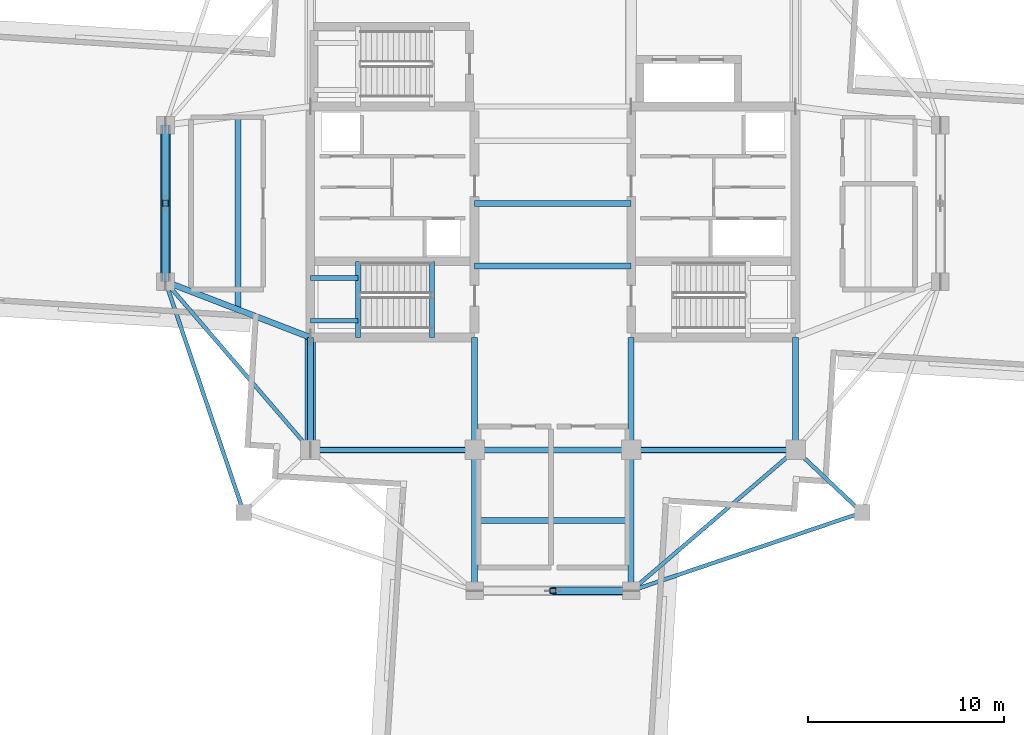
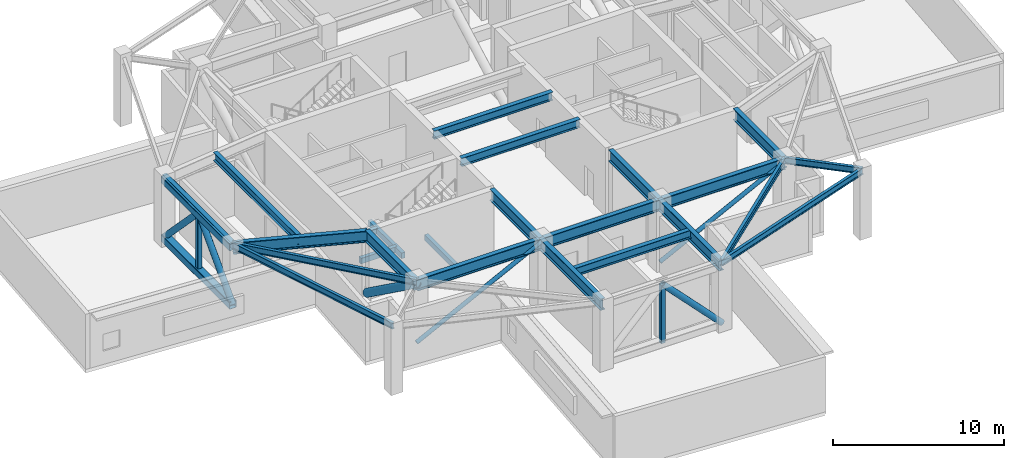
# One storey, part 2 of 14: 24 beams, 10 members.
"""IFC4 building model written with IfcOpenShell, lengths in metres."""

from ifc_helpers import new_model, si_unit, direction, frame, origin, origin_2d, place, context, subcontext, project, spatial, rectangle, hollow_rectangle, hollow_circle, i_section, extrude, material, material_profile, profile_set, type_object, element, save


model = new_model("IFC4")

# Units and contexts
model_context = context("Model", 3, precision=1e-05, world=origin(), true_north=direction((0.0, 1.0)))
body_context = subcontext(model_context, "Body", "Model", "MODEL_VIEW")
ifc_project = project(units=[si_unit("LENGTHUNIT", "METRE"), si_unit("AREAUNIT", "SQUARE_METRE"), si_unit("VOLUMEUNIT", "CUBIC_METRE"), si_unit("PLANEANGLEUNIT", "RADIAN"), si_unit("MASSUNIT", "GRAM", prefix="KILO")], contexts=[model_context])

# Site, building, storey
site_placement = place(None, origin())
site = spatial("IfcSite", under=ifc_project, at=site_placement, CompositionType="ELEMENT")
building_placement = place(site_placement, origin())
building = spatial("IfcBuilding", under=site, at=building_placement, Name="Qingluan Cross Belvedere", CompositionType="ELEMENT")
storey_placement = place(building_placement, frame((0.0, 0.0, 240.300048828125)))
storey = spatial("IfcBuildingStorey", under=building, at=storey_placement, Name="L60", CompositionType="ELEMENT", Elevation=240.300048828125)

# Beams
ifc_material_1 = material(Name="Concrete C45", Category="concrete")
ifc_material_profile_1 = material_profile(ifc_material_1, rectangle(XDim=0.25, YDim=0.39990234375, at=origin_2d()), Name="RC250x400")
ifc_profile_set_1 = profile_set([ifc_material_profile_1], Name="Concrete C45")
beam_type_1 = type_object("IfcBeamType", Name="RC_Lintel_RC250x400", PredefinedType="LINTEL", material=ifc_profile_set_1)
for number, where, z_axis, x_axis, name in (
    (1, (-6.179931640625, -6.85009765625, -0.199951171875), (0.0, 1.0, 0.0), (-1.0, 0.0, 0.0), "Stair ST1 landing beam L60"),
    (2, (-9.969970703125, -6.85009765625, 2.14990234375), (0.0, 1.0, 0.0), (-1.0, 0.0, 0.0), "Stair ST1 beam A L60"),
):
    element("IfcBeam", number, at=place(storey_placement, frame(where, z_axis=z_axis, x_axis=x_axis)), inside=storey, type_object=beam_type_1, Name=name, PredefinedType="LINTEL", context=body_context, shape_type="SweptSolid", body=[
        extrude(rectangle(XDim=0.25, YDim=0.39990234375, at=origin_2d()), origin(), (0.0, 0.0, 1.0), 3.89013671875),
    ])
for number, where, z_axis, x_axis, name in (
    (3, (-12.39990234375, -6.0, 2.14990234375), (1.0, 0.0, 0.0), (0.0, 1.0, 0.0), "Stair ST1 beam B L60"),
    (4, (-12.39990234375, -3.81005859375, 2.14990234375), (1.0, 0.0, 0.0), (0.0, 1.0, 0.0), "Stair ST1 beam C L60"),
):
    element("IfcBeam", number, at=place(storey_placement, frame(where, z_axis=z_axis, x_axis=x_axis)), inside=storey, type_object=beam_type_1, Name=name, PredefinedType="LINTEL", context=body_context, shape_type="SweptSolid", body=[
        extrude(rectangle(XDim=0.25, YDim=0.39990234375, at=origin_2d()), origin(), (0.0, 0.0, 1.0), 2.429931640625),
    ])

# Members
ifc_material_2 = material(Name="Steel Q420GJB", Category="steel")
ifc_material_profile_2 = material_profile(ifc_material_2, hollow_circle(Radius=0.202880859375, WallThickness=0.01806640625, at=origin_2d()), Name="CHS406x18")
ifc_profile_set_2 = profile_set([ifc_material_profile_2], Name="Steel Q420GJB")
member_type_1 = type_object("IfcMemberType", Name="SteelMember_BRACE_CHS406x18", PredefinedType="BRACE", material=ifc_profile_set_2)
for number, where, z_axis, x_axis, name in (
    (5, (-19.800048828125, -4.0, 0.349853515625), (0.0, 0.6939623188, 0.720011319415), (-1.0, 0.0, 0.0), "Belt truss diagonal A L60-W"),
    (6, (-19.800048828125, 4.0, 0.349853515625), (0.0, -0.6939623188, 0.720011319415), (1.0, 0.0, 0.0), "Belt truss diagonal B L60-W"),
    (7, (4.0, -19.800048828125, 0.349853515625), (-0.6939623188, 0.0, 0.720011319415), (0.0, -1.0, 0.0), "Belt truss diagonal B L60-S"),
):
    element("IfcMember", number, at=place(storey_placement, frame(where, z_axis=z_axis, x_axis=x_axis)), inside=storey, type_object=member_type_1, Name=name, PredefinedType="BRACE", context=body_context, shape_type="SweptSolid", body=[
        extrude(hollow_circle(Radius=0.202880859375, WallThickness=0.01806640625, at=origin_2d()), origin(), (0.0, 0.0, 1.0), 5.763916015625),
    ])
ifc_material_3 = material(Name="Steel Q420GJB", Category="steel")
ifc_material_profile_3 = material_profile(ifc_material_3, hollow_circle(Radius=0.279541015625, WallThickness=0.02490234375, at=origin_2d()), Name="CHS559x25")
ifc_profile_set_3 = profile_set([ifc_material_profile_3], Name="Steel Q420GJB")
member_type_2 = type_object("IfcMemberType", Name="SteelMember_BRACE_CHS559x25", PredefinedType="BRACE", material=ifc_profile_set_3)
member_placement = place(storey_placement, frame((-12.39990234375, -6.85009765625, 0.349853515625), z_axis=(0.0, -0.810855313774, 0.585246666052), x_axis=(1.0, 0.0, 0.0)))
element("IfcMember", 8, at=member_placement, inside=storey, type_object=member_type_2, Name="Outrigger truss diagonal L60-OWS", PredefinedType="BRACE", context=body_context, shape_type="SweptSolid", body=[
    extrude(hollow_circle(Radius=0.279541015625, WallThickness=0.02490234375, at=origin_2d()), origin(), (0.0, 0.0, 1.0), 7.09130859375),
])
ifc_material_4 = material(Name="Steel Q420GJB", Category="steel")
ifc_material_profile_4 = material_profile(ifc_material_4, hollow_rectangle(XDim=0.5, YDim=0.5, WallThickness=0.02490234375, InnerFilletRadius=0.02490234375, OuterFilletRadius=0.050048828125, at=origin_2d()), Name="RHS500x500x25")
ifc_profile_set_4 = profile_set([ifc_material_profile_4], Name="Steel Q420GJB")
member_type_3 = type_object("IfcMemberType", Name="SteelMember_CHORD_RHS500x500x25", PredefinedType="CHORD", material=ifc_profile_set_4)
for number, where, z_axis, x_axis, name in (
    (9, (-19.800048828125, -4.0, 0.349853515625), (0.0, 1.0, 0.0), (-1.0, 0.0, 0.0), "Belt truss bottom chord L60-W"),
    (10, (-19.800048828125, -4.0, 4.5), (0.0, 1.0, 0.0), (-1.0, 0.0, 0.0), "Belt truss top chord L60-W"),
):
    element("IfcMember", number, at=place(storey_placement, frame(where, z_axis=z_axis, x_axis=x_axis)), inside=storey, type_object=member_type_3, Name=name, PredefinedType="CHORD", context=body_context, shape_type="SweptSolid", body=[
        extrude(hollow_rectangle(XDim=0.5, YDim=0.5, WallThickness=0.02490234375, InnerFilletRadius=0.02490234375, OuterFilletRadius=0.050048828125, at=origin_2d()), origin(), (0.0, 0.0, 1.0), 8.0),
    ])
ifc_material_5 = material(Name="Steel Q420GJB", Category="steel")
ifc_material_profile_5 = material_profile(ifc_material_5, hollow_rectangle(XDim=0.300048828125, YDim=0.300048828125, WallThickness=0.01611328125, InnerFilletRadius=0.01611328125, OuterFilletRadius=0.031982421875, at=origin_2d()), Name="RHS300x300x16")
ifc_profile_set_5 = profile_set([ifc_material_profile_5], Name="Steel Q420GJB")
member_type_4 = type_object("IfcMemberType", Name="SteelMember_POST_RHS300x300x16", PredefinedType="POST", material=ifc_profile_set_5)
for number, where, z_axis, x_axis, name in (
    (11, (-19.800048828125, 0.0, 0.349853515625), (0.0, 0.0, 1.0), (1.0, 0.0, 0.0), "Belt truss mid-post L60-W"),
    (12, (0.0, -19.800048828125, 0.349853515625), (0.0, 0.0, 1.0), (1.0, 0.0, 0.0), "Belt truss mid-post L60-S"),
):
    element("IfcMember", number, at=place(storey_placement, frame(where, z_axis=z_axis, x_axis=x_axis)), inside=storey, type_object=member_type_4, Name=name, PredefinedType="POST", context=body_context, shape_type="SweptSolid", body=[
        extrude(hollow_rectangle(XDim=0.300048828125, YDim=0.300048828125, WallThickness=0.01611328125, InnerFilletRadius=0.01611328125, OuterFilletRadius=0.031982421875, at=origin_2d()), origin(), (0.0, 0.0, 1.0), 4.150146484375),
    ])
ifc_material_6 = material(Name="Steel Q420GJB", Category="steel")
ifc_material_profile_6 = material_profile(ifc_material_6, hollow_circle(Radius=0.136474609375, WallThickness=0.011962890625, at=origin_2d()), Name="CHS273x12")
ifc_profile_set_6 = profile_set([ifc_material_profile_6], Name="Steel Q420GJB")
member_type_5 = type_object("IfcMemberType", Name="SteelMember_STRUT_CHS273x12", PredefinedType="STRUT", material=ifc_profile_set_6)
for number, where, z_axis, x_axis, name in (
    (13, (-12.39990234375, -12.60009765625, 0.300048828125), (0.892290477913, 0.0, 0.45146174038), (0.0, 1.0, 0.0), "Refuge hub lateral strut L60-SW"),
    (14, (4.0, -12.60009765625, 0.300048828125), (0.892290477913, 0.0, 0.45146174038), (0.0, 1.0, 0.0), "Refuge hub lateral strut L60-SE"),
):
    element("IfcMember", number, at=place(storey_placement, frame(where, z_axis=z_axis, x_axis=x_axis)), inside=storey, type_object=member_type_5, Name=name, PredefinedType="STRUT", context=body_context, shape_type="SweptSolid", body=[
        extrude(hollow_circle(Radius=0.136474609375, WallThickness=0.011962890625, at=origin_2d()), origin(), (0.0, 0.0, 1.0), 9.413818359375),
    ])

# Beams
ifc_material_7 = material(Name="Steel Q420GJB", Category="steel")
ifc_material_profile_7 = material_profile(ifc_material_7, i_section(OverallWidth=0.300048828125, OverallDepth=0.587890625, WebThickness=0.011962890625, FlangeThickness=0.02001953125, FilletRadius=0.02392578125, at=origin_2d()), Name="HM588x300x12x20")
ifc_profile_set_7 = profile_set([ifc_material_profile_7], Name="Steel Q420GJB")
beam_type_2 = type_object("IfcBeamType", Name="Steel_Beam_HM588x300x12x20", PredefinedType="BEAM", material=ifc_profile_set_7)
for number, where, z_axis, x_axis, name in (
    (15, (-4.0, -3.199951171875, 4.555908203125), (1.0, 0.0, 0.0), (0.0, 1.0, 0.0), "Hall beam L60-CH1"),
    (16, (-4.0, 0.0, 4.555908203125), (1.0, 0.0, 0.0), (0.0, 1.0, 0.0), "Hall beam L60-CH2"),
    (17, (-19.800048828125, -4.0, 4.555908203125), (0.0, 1.0, 0.0), (-1.0, 0.0, 0.0), "Arm W tie L60"),
):
    element("IfcBeam", number, at=place(storey_placement, frame(where, z_axis=z_axis, x_axis=x_axis)), inside=storey, type_object=beam_type_2, Name=name, PredefinedType="BEAM", context=body_context, shape_type="SweptSolid", body=[
        extrude(i_section(OverallWidth=0.300048828125, OverallDepth=0.587890625, WebThickness=0.011962890625, FlangeThickness=0.02001953125, FilletRadius=0.02392578125, at=origin_2d()), origin(), (0.0, 0.0, 1.0), 8.0),
    ])
beam_1_placement = place(storey_placement, frame((-16.10009765625, -5.425048828125, 4.555908203125), z_axis=(0.0, 1.0, 0.0), x_axis=(-1.0, 0.0, 0.0)))
element("IfcBeam", 18, at=beam_1_placement, inside=storey, type_object=beam_type_2, Name="Arm W beam L60", PredefinedType="BEAM", context=body_context, shape_type="SweptSolid", body=[
    extrude(i_section(OverallWidth=0.300048828125, OverallDepth=0.587890625, WebThickness=0.011962890625, FlangeThickness=0.02001953125, FilletRadius=0.02392578125, at=origin_2d()), origin(), (0.0, 0.0, 1.0), 9.900146484375),
])
beam_2_placement = place(storey_placement, frame((-4.0, -16.199951171875, 4.555908203125), z_axis=(1.0, 0.0, 0.0), x_axis=(0.0, 1.0, 0.0)))
element("IfcBeam", 19, at=beam_2_placement, inside=storey, type_object=beam_type_2, Name="Arm S beam L60", PredefinedType="BEAM", context=body_context, shape_type="SweptSolid", body=[
    extrude(i_section(OverallWidth=0.300048828125, OverallDepth=0.587890625, WebThickness=0.011962890625, FlangeThickness=0.02001953125, FilletRadius=0.02392578125, at=origin_2d()), origin(), (0.0, 0.0, 1.0), 8.0),
])
ifc_material_8 = material(Name="Steel Q420GJB", Category="steel")
ifc_material_profile_8 = material_profile(ifc_material_8, i_section(OverallWidth=0.199951171875, OverallDepth=0.449951171875, WebThickness=0.009033203125, FlangeThickness=0.013916015625, FilletRadius=0.01611328125, at=origin_2d()), Name="HN450x200x9x14")
ifc_profile_set_8 = profile_set([ifc_material_profile_8], Name="Steel Q420GJB")
beam_type_3 = type_object("IfcBeamType", Name="Steel_Beam_HN450x200x9x14", PredefinedType="JOIST", material=ifc_profile_set_8)
beam_3_placement = place(storey_placement, frame((-15.800048828125, -15.800048828125, 4.625), z_axis=(-0.321038089628, 0.947066283324, 0.0), x_axis=(-0.947066283324, -0.321038089628, 0.0)))
element("IfcBeam", 20, at=beam_3_placement, inside=storey, type_object=beam_type_3, Name="Corner beam 3 L60-RSW", PredefinedType="JOIST", context=body_context, shape_type="SweptSolid", body=[
    extrude(i_section(OverallWidth=0.199951171875, OverallDepth=0.449951171875, WebThickness=0.009033203125, FlangeThickness=0.013916015625, FilletRadius=0.01611328125, at=origin_2d()), origin(), (0.0, 0.0, 1.0), 12.45947265625),
])
beam_4_placement = place(storey_placement, frame((-12.39990234375, -12.60009765625, 4.625), z_axis=(-0.652245077546, 0.75800815221, 0.0), x_axis=(-0.75800815221, -0.652245077546, 0.0)))
element("IfcBeam", 21, at=beam_4_placement, inside=storey, type_object=beam_type_3, Name="Corner beam 4 L60-RSW", PredefinedType="JOIST", context=body_context, shape_type="SweptSolid", body=[
    extrude(i_section(OverallWidth=0.199951171875, OverallDepth=0.449951171875, WebThickness=0.009033203125, FlangeThickness=0.013916015625, FilletRadius=0.01611328125, at=origin_2d()), origin(), (0.0, 0.0, 1.0), 11.345703125),
])
beam_5_placement = place(storey_placement, frame((12.39990234375, -12.60009765625, 4.625), z_axis=(0.728219948308, -0.685343495546, 0.0), x_axis=(0.685343495546, 0.728219948308, 0.0)))
element("IfcBeam", 22, at=beam_5_placement, inside=storey, type_object=beam_type_3, Name="Corner beam 1 L60-RSE", PredefinedType="JOIST", context=body_context, shape_type="SweptSolid", body=[
    extrude(i_section(OverallWidth=0.199951171875, OverallDepth=0.449951171875, WebThickness=0.009033203125, FlangeThickness=0.013916015625, FilletRadius=0.01611328125, at=origin_2d()), origin(), (0.0, 0.0, 1.0), 4.669189453125),
])
beam_6_placement = place(storey_placement, frame((15.800048828125, -15.800048828125, 4.625), z_axis=(-0.947066283324, -0.321038089628, 0.0), x_axis=(0.321038089628, -0.947066283324, 0.0)))
element("IfcBeam", 23, at=beam_6_placement, inside=storey, type_object=beam_type_3, Name="Corner beam 2 L60-RSE", PredefinedType="JOIST", context=body_context, shape_type="SweptSolid", body=[
    extrude(i_section(OverallWidth=0.199951171875, OverallDepth=0.449951171875, WebThickness=0.009033203125, FlangeThickness=0.013916015625, FilletRadius=0.01611328125, at=origin_2d()), origin(), (0.0, 0.0, 1.0), 12.45947265625),
])
beam_7_placement = place(storey_placement, frame((12.39990234375, -12.60009765625, 4.625), z_axis=(-0.759255044656, -0.650793190779, 0.0), x_axis=(0.650793190779, -0.759255044656, 0.0)))
element("IfcBeam", 24, at=beam_7_placement, inside=storey, type_object=beam_type_3, Name="Corner beam 5 L60-RSE", PredefinedType="JOIST", context=body_context, shape_type="SweptSolid", body=[
    extrude(i_section(OverallWidth=0.199951171875, OverallDepth=0.449951171875, WebThickness=0.009033203125, FlangeThickness=0.013916015625, FilletRadius=0.01611328125, at=origin_2d()), origin(), (0.0, 0.0, 1.0), 11.063232421875),
])
ifc_material_9 = material(Name="Steel Q420GJB", Category="steel")
ifc_material_profile_9 = material_profile(ifc_material_9, i_section(OverallWidth=0.305908203125, OverallDepth=0.81396484375, WebThickness=0.02099609375, FlangeThickness=0.0400390625, FilletRadius=0.030029296875, at=origin_2d()), Name="HEM800")
ifc_profile_set_9 = profile_set([ifc_material_profile_9], Name="Steel Q420GJB")
beam_type_4 = type_object("IfcBeamType", Name="Steel_Girder_HEM800", PredefinedType="USERDEFINED", material=ifc_profile_set_9)
beam_8_placement = place(storey_placement, frame((-12.39990234375, -12.60009765625, 4.44287109375), z_axis=(1.0, 0.0, 0.0), x_axis=(0.0, 1.0, 0.0)))
element("IfcBeam", 25, at=beam_8_placement, inside=storey, type_object=beam_type_4, Name="Hub girder L60-HG-S1", ObjectType="GIRDER", PredefinedType="USERDEFINED", context=body_context, shape_type="SweptSolid", body=[
    extrude(i_section(OverallWidth=0.305908203125, OverallDepth=0.81396484375, WebThickness=0.02099609375, FlangeThickness=0.0400390625, FilletRadius=0.030029296875, at=origin_2d()), origin(), (0.0, 0.0, 1.0), 8.39990234375),
])
beam_9_placement = place(storey_placement, frame((-4.0, -12.60009765625, 4.44287109375), z_axis=(1.0, 0.0, 0.0), x_axis=(0.0, 1.0, 0.0)))
element("IfcBeam", 26, at=beam_9_placement, inside=storey, type_object=beam_type_4, Name="Hub girder L60-HG-S2", ObjectType="GIRDER", PredefinedType="USERDEFINED", context=body_context, shape_type="SweptSolid", body=[
    extrude(i_section(OverallWidth=0.305908203125, OverallDepth=0.81396484375, WebThickness=0.02099609375, FlangeThickness=0.0400390625, FilletRadius=0.030029296875, at=origin_2d()), origin(), (0.0, 0.0, 1.0), 8.0),
])
beam_10_placement = place(storey_placement, frame((4.0, -12.60009765625, 4.44287109375), z_axis=(1.0, 0.0, 0.0), x_axis=(0.0, 1.0, 0.0)))
element("IfcBeam", 27, at=beam_10_placement, inside=storey, type_object=beam_type_4, Name="Hub girder L60-HG-S3", ObjectType="GIRDER", PredefinedType="USERDEFINED", context=body_context, shape_type="SweptSolid", body=[
    extrude(i_section(OverallWidth=0.305908203125, OverallDepth=0.81396484375, WebThickness=0.02099609375, FlangeThickness=0.0400390625, FilletRadius=0.030029296875, at=origin_2d()), origin(), (0.0, 0.0, 1.0), 8.39990234375),
])
for number, where, z_axis, x_axis, name in (
    (28, (-12.39990234375, -12.60009765625, 4.44287109375), (0.0, 1.0, 0.0), (-1.0, 0.0, 0.0), "Hub girder L60-HG-W1"),
    (29, (12.39990234375, -12.60009765625, 4.44287109375), (0.0, 1.0, 0.0), (-1.0, 0.0, 0.0), "Hub girder L60-HG-E1"),
    (30, (-4.0, -12.60009765625, 4.44287109375), (0.0, 1.0, 0.0), (-1.0, 0.0, 0.0), "Hub girder L60-HG-CW"),
    (31, (4.0, -12.60009765625, 4.44287109375), (0.0, 1.0, 0.0), (-1.0, 0.0, 0.0), "Hub girder L60-HG-CE"),
):
    element("IfcBeam", number, at=place(storey_placement, frame(where, z_axis=z_axis, x_axis=x_axis)), inside=storey, type_object=beam_type_4, Name=name, ObjectType="GIRDER", PredefinedType="USERDEFINED", context=body_context, shape_type="SweptSolid", body=[
        extrude(i_section(OverallWidth=0.305908203125, OverallDepth=0.81396484375, WebThickness=0.02099609375, FlangeThickness=0.0400390625, FilletRadius=0.030029296875, at=origin_2d()), origin(), (0.0, 0.0, 1.0), 5.75),
    ])
beam_11_placement = place(storey_placement, frame((-12.39990234375, -6.85009765625, 4.44287109375), z_axis=(-0.933181258889, 0.359406090735, 0.0), x_axis=(-0.359406090735, -0.933181258889, 0.0)))
element("IfcBeam", 32, at=beam_11_placement, inside=storey, type_object=beam_type_4, Name="Arm W radial girder A L60", ObjectType="GIRDER", PredefinedType="USERDEFINED", context=body_context, shape_type="SweptSolid", body=[
    extrude(i_section(OverallWidth=0.305908203125, OverallDepth=0.81396484375, WebThickness=0.02099609375, FlangeThickness=0.0400390625, FilletRadius=0.030029296875, at=origin_2d()), origin(), (0.0, 0.0, 1.0), 7.929931640625),
])
for number, where, z_axis, x_axis, name in (
    (33, (-4.0, -12.60009765625, 4.44287109375), (0.0, -1.0, 0.0), (1.0, 0.0, 0.0), "Arm S radial girder A L60"),
    (34, (4.0, -12.60009765625, 4.44287109375), (0.0, -1.0, 0.0), (1.0, 0.0, 0.0), "Arm S radial girder B L60"),
):
    element("IfcBeam", number, at=place(storey_placement, frame(where, z_axis=z_axis, x_axis=x_axis)), inside=storey, type_object=beam_type_4, Name=name, ObjectType="GIRDER", PredefinedType="USERDEFINED", context=body_context, shape_type="SweptSolid", body=[
        extrude(i_section(OverallWidth=0.305908203125, OverallDepth=0.81396484375, WebThickness=0.02099609375, FlangeThickness=0.0400390625, FilletRadius=0.030029296875, at=origin_2d()), origin(), (0.0, 0.0, 1.0), 7.199951171875),
    ])

save(model, "model.ifc")
